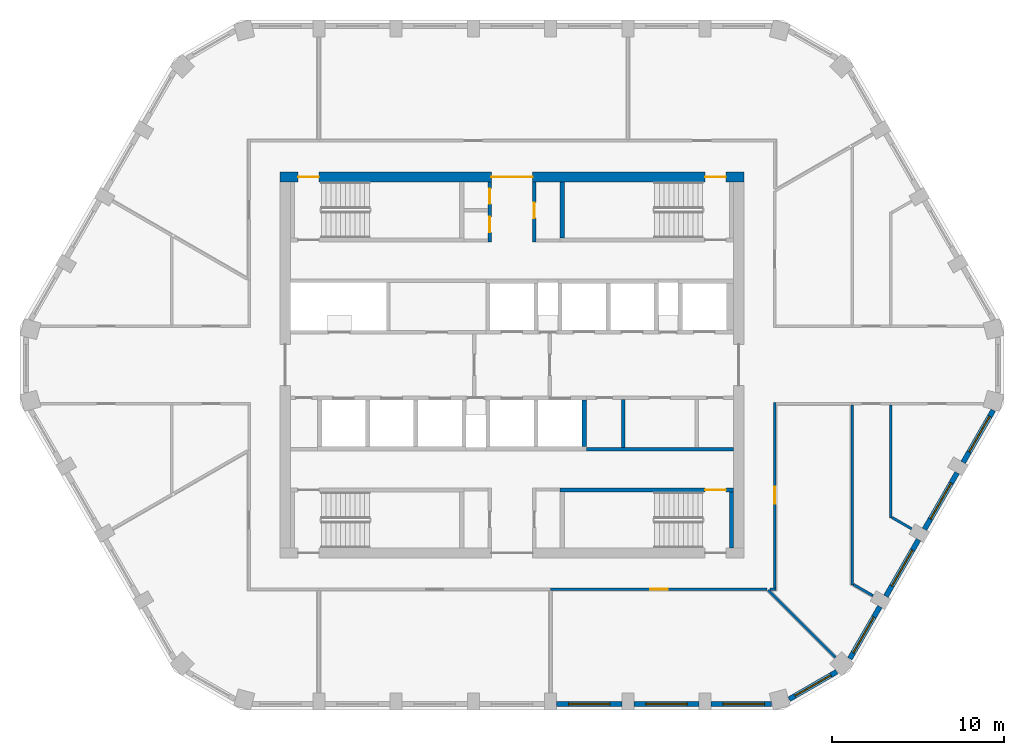
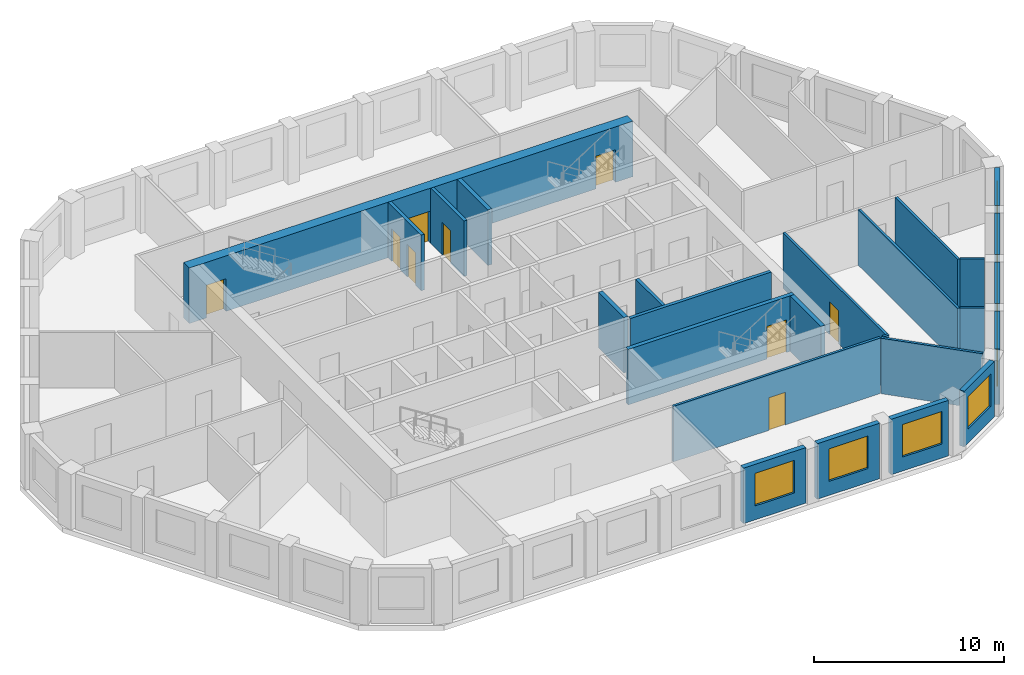
# One storey, part 4 of 11: 25 walls, 9 doors, 8 windows, 17 openings.
"""IFC4 building model written with IfcOpenShell, lengths in metres."""

from ifc_helpers import new_model, si_unit, direction, frame, frame_2d, origin, place, context, subcontext, project, spatial, polyline, rectangle, outline, extrude, material, layer, layer_set, type_object, element, fill, save


model = new_model("IFC4")

# Units and contexts
model_context = context("Model", 3, precision=1e-05, world=origin(), true_north=direction((0.0, 1.0)))
body_context = subcontext(model_context, "Body", "Model", "MODEL_VIEW")
ifc_project = project(units=[si_unit("LENGTHUNIT", "METRE"), si_unit("AREAUNIT", "SQUARE_METRE"), si_unit("VOLUMEUNIT", "CUBIC_METRE"), si_unit("PLANEANGLEUNIT", "RADIAN"), si_unit("MASSUNIT", "GRAM", prefix="KILO")], contexts=[model_context])

# Site, building, storey
site_placement = place(None, origin())
site = spatial("IfcSite", under=ifc_project, at=site_placement, CompositionType="ELEMENT")
building_placement = place(site_placement, origin())
building = spatial("IfcBuilding", under=site, at=building_placement, Name="Dhurran Vertical Campus", CompositionType="ELEMENT")
storey_placement = place(building_placement, frame((0.0, 0.0, 274.199951171875)))
storey = spatial("IfcBuildingStorey", under=building, at=storey_placement, Name="L68", CompositionType="ELEMENT", Elevation=274.199951171875)

# Wall, opening, window
ifc_material_1 = material(Name="Precast concrete C50/60", Category="concrete")
ifc_layer_1 = layer(ifc_material_1, 0.300048828125)
ifc_layer_set_1 = layer_set([ifc_layer_1], Name="Precast concrete C50/60")
wall_type_1 = type_object("IfcWallType", Name="Precast spandrel wall 300", PredefinedType="SOLIDWALL", material=ifc_layer_set_1)
wall_1_placement = place(storey_placement, frame((2.6005859375, -19.738525390625, 0.0), z_axis=(0.0, 0.0, 1.0), x_axis=(1.0, 0.0, 0.0)))
wall_1 = element("IfcWall", 1, at=wall_1_placement, inside=storey, type_object=wall_type_1, Name="EW1 L68.04", PredefinedType="SOLIDWALL", context=body_context, shape_type="SweptSolid", body=[
    extrude(rectangle(XDim=3.798828125, YDim=0.300048828125, at=frame_2d((1.8994140625, 0.0))), origin(), (0.0, 0.0, 1.0), 3.574951171875),
])
opening_1_placement = place(wall_1_placement, frame((0.699462890625, 0.0, 0.89990234375)))
opening_1 = element("IfcOpeningElement", 2, at=opening_1_placement, cuts=wall_1, Name="Opening WT1", PredefinedType="OPENING", context=body_context, shape_type="SweptSolid", body=[
    extrude(rectangle(XDim=2.39990234375, YDim=2.10009765625, at=frame_2d((1.199951171875, 1.050048828125))), frame((0.0, 0.159912109375, 0.0), z_axis=(0.0, -1.0, 0.0), x_axis=(1.0, 0.0, 0.0)), (0.0, 0.0, 1.0), 0.320068359375),
])
ifc_material_2 = material(Name="Aluminium frame with solar-control glass", Category="aluminium")
window_type = type_object("IfcWindowType", Name="Punched window 2400 x 2100", PartitioningType="SINGLE_PANEL", PredefinedType="WINDOW", material=ifc_material_2)
window_1_placement = place(opening_1_placement, origin())
window_1 = element("IfcWindow", 3, at=window_1_placement, inside=storey, type_object=window_type, Name="WT1 L68.04", OverallHeight=2.10009765625, OverallWidth=2.39990234375, PartitioningType="SINGLE_PANEL", PredefinedType="WINDOW", context=body_context, shape_type="SweptSolid", body=[
    extrude(rectangle(XDim=2.39990234375, YDim=2.10009765625, at=frame_2d((1.199951171875, 1.050048828125))), frame((0.0, 0.030029296875, 0.0), z_axis=(0.0, -1.0, 0.0), x_axis=(1.0, 0.0, 0.0)), (0.0, 0.0, 1.0), 0.06005859375),
])
fill(opening_1, window_1)

wall_2_placement = place(storey_placement, frame((7.1005859375, -19.738525390625, 0.0), z_axis=(0.0, 0.0, 1.0), x_axis=(1.0, 0.0, 0.0)))
wall_2 = element("IfcWall", 4, at=wall_2_placement, inside=storey, type_object=wall_type_1, Name="EW1 L68.05", PredefinedType="SOLIDWALL", context=body_context, shape_type="SweptSolid", body=[
    extrude(rectangle(XDim=3.798828125, YDim=0.300048828125, at=frame_2d((1.8994140625, 0.0))), origin(), (0.0, 0.0, 1.0), 3.574951171875),
])
opening_2_placement = place(wall_2_placement, frame((0.699462890625, 0.0, 0.89990234375)))
opening_2 = element("IfcOpeningElement", 5, at=opening_2_placement, cuts=wall_2, Name="Opening WT1", PredefinedType="OPENING", context=body_context, shape_type="SweptSolid", body=[
    extrude(rectangle(XDim=2.39990234375, YDim=2.10009765625, at=frame_2d((1.199951171875, 1.050048828125))), frame((0.0, 0.159912109375, 0.0), z_axis=(0.0, -1.0, 0.0), x_axis=(1.0, 0.0, 0.0)), (0.0, 0.0, 1.0), 0.320068359375),
])
window_2_placement = place(opening_2_placement, origin())
window_2 = element("IfcWindow", 6, at=window_2_placement, inside=storey, type_object=window_type, Name="WT1 L68.05", OverallHeight=2.10009765625, OverallWidth=2.39990234375, PartitioningType="SINGLE_PANEL", PredefinedType="WINDOW", context=body_context, shape_type="SweptSolid", body=[
    extrude(rectangle(XDim=2.39990234375, YDim=2.10009765625, at=frame_2d((1.199951171875, 1.050048828125))), frame((0.0, 0.030029296875, 0.0), z_axis=(0.0, -1.0, 0.0), x_axis=(1.0, 0.0, 0.0)), (0.0, 0.0, 1.0), 0.06005859375),
])
fill(opening_2, window_2)

wall_3_placement = place(storey_placement, frame((11.6005859375, -19.738525390625, 0.0), z_axis=(0.0, 0.0, 1.0), x_axis=(1.0, 0.0, 0.0)))
wall_3 = element("IfcWall", 7, at=wall_3_placement, inside=storey, type_object=wall_type_1, Name="EW1 L68.06", PredefinedType="SOLIDWALL", context=body_context, shape_type="SweptSolid", body=[
    extrude(rectangle(XDim=3.49755859375, YDim=0.300048828125, at=frame_2d((1.748779296875, 0.0))), origin(), (0.0, 0.0, 1.0), 3.574951171875),
])
opening_3_placement = place(wall_3_placement, frame((0.699462890625, 0.0, 0.89990234375)))
opening_3 = element("IfcOpeningElement", 8, at=opening_3_placement, cuts=wall_3, Name="Opening WT1", PredefinedType="OPENING", context=body_context, shape_type="SweptSolid", body=[
    extrude(rectangle(XDim=2.39990234375, YDim=2.10009765625, at=frame_2d((1.199951171875, 1.050048828125))), frame((0.0, 0.159912109375, 0.0), z_axis=(0.0, -1.0, 0.0), x_axis=(1.0, 0.0, 0.0)), (0.0, 0.0, 1.0), 0.320068359375),
])
window_3_placement = place(opening_3_placement, origin())
window_3 = element("IfcWindow", 9, at=window_3_placement, inside=storey, type_object=window_type, Name="WT1 L68.06", OverallHeight=2.10009765625, OverallWidth=2.39990234375, PartitioningType="SINGLE_PANEL", PredefinedType="WINDOW", context=body_context, shape_type="SweptSolid", body=[
    extrude(rectangle(XDim=2.39990234375, YDim=2.10009765625, at=frame_2d((1.199951171875, 1.050048828125))), frame((0.0, 0.030029296875, 0.0), z_axis=(0.0, -1.0, 0.0), x_axis=(1.0, 0.0, 0.0)), (0.0, 0.0, 1.0), 0.06005859375),
])
fill(opening_3, window_3)

wall_4_placement = place(storey_placement, frame((16.1396484375, -19.45947265625, 0.0), z_axis=(0.0, 0.0, 1.0), x_axis=(0.866025316205, 0.500000151692, 0.0)))
wall_4 = element("IfcWall", 10, at=wall_4_placement, inside=storey, type_object=wall_type_1, Name="EW1 L68.07", PredefinedType="SOLIDWALL", context=body_context, shape_type="SweptSolid", body=[
    extrude(rectangle(XDim=3.1962890625, YDim=0.300048828125, at=frame_2d((1.59814453125, 0.0))), origin(), (0.0, 0.0, 1.0), 3.574951171875),
])
opening_4_placement = place(wall_4_placement, frame((0.398193359375, 0.0, 0.89990234375)))
opening_4 = element("IfcOpeningElement", 11, at=opening_4_placement, cuts=wall_4, Name="Opening WT1", PredefinedType="OPENING", context=body_context, shape_type="SweptSolid", body=[
    extrude(rectangle(XDim=2.39990234375, YDim=2.10009765625, at=frame_2d((1.199951171875, 1.050048828125))), frame((0.0, 0.159912109375, 0.0), z_axis=(0.0, -1.0, 0.0), x_axis=(1.0, 0.0, 0.0)), (0.0, 0.0, 1.0), 0.320068359375),
])
window_4_placement = place(opening_4_placement, origin())
window_4 = element("IfcWindow", 12, at=window_4_placement, inside=storey, type_object=window_type, Name="WT1 L68.07", OverallHeight=2.10009765625, OverallWidth=2.39990234375, PartitioningType="SINGLE_PANEL", PredefinedType="WINDOW", context=body_context, shape_type="SweptSolid", body=[
    extrude(rectangle(XDim=2.39990234375, YDim=2.10009765625, at=frame_2d((1.199951171875, 1.050048828125))), frame((0.0, 0.030029296875, 0.0), z_axis=(0.0, -1.0, 0.0), x_axis=(1.0, 0.0, 0.0)), (0.0, 0.0, 1.0), 0.06005859375),
])
fill(opening_4, window_4)

wall_5_placement = place(storey_placement, frame((19.669921875, -17.09912109375, 0.0), z_axis=(0.0, 0.0, 1.0), x_axis=(0.499960102815, 0.866048437209, 0.0)))
wall_5 = element("IfcWall", 13, at=wall_5_placement, inside=storey, type_object=wall_type_1, Name="EW1 L68.08", PredefinedType="SOLIDWALL", context=body_context, shape_type="SweptSolid", body=[
    extrude(rectangle(XDim=3.497802734375, YDim=0.300048828125, at=frame_2d((1.7490234375, 0.0))), origin(), (0.0, 0.0, 1.0), 3.574951171875),
])
opening_5_placement = place(wall_5_placement, frame((0.398193359375, 0.0, 0.89990234375)))
opening_5 = element("IfcOpeningElement", 14, at=opening_5_placement, cuts=wall_5, Name="Opening WT1", PredefinedType="OPENING", context=body_context, shape_type="SweptSolid", body=[
    extrude(rectangle(XDim=2.39990234375, YDim=2.10009765625, at=frame_2d((1.199951171875, 1.050048828125))), frame((0.0, 0.159912109375, 0.0), z_axis=(0.0, -1.0, 0.0), x_axis=(1.0, 0.0, 0.0)), (0.0, 0.0, 1.0), 0.320068359375),
])
window_5_placement = place(opening_5_placement, origin())
window_5 = element("IfcWindow", 15, at=window_5_placement, inside=storey, type_object=window_type, Name="WT1 L68.08", OverallHeight=2.10009765625, OverallWidth=2.39990234375, PartitioningType="SINGLE_PANEL", PredefinedType="WINDOW", context=body_context, shape_type="SweptSolid", body=[
    extrude(rectangle(XDim=2.39990234375, YDim=2.10009765625, at=frame_2d((1.199951171875, 1.050048828125))), frame((0.0, 0.030029296875, 0.0), z_axis=(0.0, -1.0, 0.0), x_axis=(1.0, 0.0, 0.0)), (0.0, 0.0, 1.0), 0.06005859375),
])
fill(opening_5, window_5)

wall_6_placement = place(storey_placement, frame((21.769287109375, -13.462890625, 0.0), z_axis=(0.0, 0.0, 1.0), x_axis=(0.499982058975, 0.866035761792, 0.0)))
wall_6 = element("IfcWall", 16, at=wall_6_placement, inside=storey, type_object=wall_type_1, Name="EW1 L68.09", PredefinedType="SOLIDWALL", context=body_context, shape_type="SweptSolid", body=[
    extrude(rectangle(XDim=3.799072265625, YDim=0.300048828125, at=frame_2d((1.8994140625, 0.0))), origin(), (0.0, 0.0, 1.0), 3.574951171875),
])
opening_6_placement = place(wall_6_placement, frame((0.699462890625, 0.0, 0.89990234375)))
opening_6 = element("IfcOpeningElement", 17, at=opening_6_placement, cuts=wall_6, Name="Opening WT1", PredefinedType="OPENING", context=body_context, shape_type="SweptSolid", body=[
    extrude(rectangle(XDim=2.39990234375, YDim=2.10009765625, at=frame_2d((1.199951171875, 1.050048828125))), frame((0.0, 0.159912109375, 0.0), z_axis=(0.0, -1.0, 0.0), x_axis=(1.0, 0.0, 0.0)), (0.0, 0.0, 1.0), 0.320068359375),
])
window_6_placement = place(opening_6_placement, origin())
window_6 = element("IfcWindow", 18, at=window_6_placement, inside=storey, type_object=window_type, Name="WT1 L68.09", OverallHeight=2.10009765625, OverallWidth=2.39990234375, PartitioningType="SINGLE_PANEL", PredefinedType="WINDOW", context=body_context, shape_type="SweptSolid", body=[
    extrude(rectangle(XDim=2.39990234375, YDim=2.10009765625, at=frame_2d((1.199951171875, 1.050048828125))), frame((0.0, 0.030029296875, 0.0), z_axis=(0.0, -1.0, 0.0), x_axis=(1.0, 0.0, 0.0)), (0.0, 0.0, 1.0), 0.06005859375),
])
fill(opening_6, window_6)

wall_7_placement = place(storey_placement, frame((24.019287109375, -9.565673828125, 0.0), z_axis=(0.0, 0.0, 1.0), x_axis=(0.499982058975, 0.866035761792, 0.0)))
wall_7 = element("IfcWall", 19, at=wall_7_placement, inside=storey, type_object=wall_type_1, Name="EW1 L68.10", PredefinedType="SOLIDWALL", context=body_context, shape_type="SweptSolid", body=[
    extrude(rectangle(XDim=3.799072265625, YDim=0.300048828125, at=frame_2d((1.8994140625, 0.0))), origin(), (0.0, 0.0, 1.0), 3.574951171875),
])
opening_7_placement = place(wall_7_placement, frame((0.699462890625, 0.0, 0.89990234375)))
opening_7 = element("IfcOpeningElement", 20, at=opening_7_placement, cuts=wall_7, Name="Opening WT1", PredefinedType="OPENING", context=body_context, shape_type="SweptSolid", body=[
    extrude(rectangle(XDim=2.39990234375, YDim=2.10009765625, at=frame_2d((1.199951171875, 1.050048828125))), frame((0.0, 0.159912109375, 0.0), z_axis=(0.0, -1.0, 0.0), x_axis=(1.0, 0.0, 0.0)), (0.0, 0.0, 1.0), 0.320068359375),
])
window_7_placement = place(opening_7_placement, origin())
window_7 = element("IfcWindow", 21, at=window_7_placement, inside=storey, type_object=window_type, Name="WT1 L68.10", OverallHeight=2.10009765625, OverallWidth=2.39990234375, PartitioningType="SINGLE_PANEL", PredefinedType="WINDOW", context=body_context, shape_type="SweptSolid", body=[
    extrude(rectangle(XDim=2.39990234375, YDim=2.10009765625, at=frame_2d((1.199951171875, 1.050048828125))), frame((0.0, 0.030029296875, 0.0), z_axis=(0.0, -1.0, 0.0), x_axis=(1.0, 0.0, 0.0)), (0.0, 0.0, 1.0), 0.06005859375),
])
fill(opening_7, window_7)

wall_8_placement = place(storey_placement, frame((26.269287109375, -5.668701171875, 0.0), z_axis=(0.0, 0.0, 1.0), x_axis=(0.499990325971, 0.866030989016, 0.0)))
wall_8 = element("IfcWall", 22, at=wall_8_placement, inside=storey, type_object=wall_type_1, Name="EW1 L68.11", PredefinedType="SOLIDWALL", context=body_context, shape_type="SweptSolid", body=[
    extrude(rectangle(XDim=3.49755859375, YDim=0.300048828125, at=frame_2d((1.748779296875, 0.0))), origin(), (0.0, 0.0, 1.0), 3.574951171875),
])
opening_8_placement = place(wall_8_placement, frame((0.699462890625, 0.0, 0.89990234375)))
opening_8 = element("IfcOpeningElement", 23, at=opening_8_placement, cuts=wall_8, Name="Opening WT1", PredefinedType="OPENING", context=body_context, shape_type="SweptSolid", body=[
    extrude(rectangle(XDim=2.39990234375, YDim=2.10009765625, at=frame_2d((1.199951171875, 1.050048828125))), frame((0.0, 0.159912109375, 0.0), z_axis=(0.0, -1.0, 0.0), x_axis=(1.0, 0.0, 0.0)), (0.0, 0.0, 1.0), 0.320068359375),
])
window_8_placement = place(opening_8_placement, origin())
window_8 = element("IfcWindow", 24, at=window_8_placement, inside=storey, type_object=window_type, Name="WT1 L68.11", OverallHeight=2.10009765625, OverallWidth=2.39990234375, PartitioningType="SINGLE_PANEL", PredefinedType="WINDOW", context=body_context, shape_type="SweptSolid", body=[
    extrude(rectangle(XDim=2.39990234375, YDim=2.10009765625, at=frame_2d((1.199951171875, 1.050048828125))), frame((0.0, 0.030029296875, 0.0), z_axis=(0.0, -1.0, 0.0), x_axis=(1.0, 0.0, 0.0)), (0.0, 0.0, 1.0), 0.06005859375),
])
fill(opening_8, window_8)

# Wall, openings, doors
ifc_material_3 = material(Name="Concrete C50/60", Category="concrete")
ifc_layer_2 = layer(ifc_material_3, 0.60009765625)
ifc_layer_set_2 = layer_set([ifc_layer_2], Name="Concrete C50/60")
wall_type_2 = type_object("IfcWallType", Name="co-CORE-WALL-C2-600", PredefinedType="SHEAR", material=ifc_layer_set_2)
wall_9_placement = place(storey_placement, frame((-13.5, 10.949951171875, 0.0), z_axis=(0.0, 0.0, 1.0), x_axis=(1.0, 0.0, 0.0)))
wall_9 = element("IfcWall", 25, at=wall_9_placement, inside=storey, type_object=wall_type_2, Name="Core wall N L68", PredefinedType="SHEAR", context=body_context, shape_type="SweptSolid", body=[
    extrude(rectangle(XDim=27.0, YDim=0.60009765625, at=frame_2d((13.5, 0.0))), origin(), (0.0, 0.0, 1.0), 3.574951171875),
])
opening_9_placement = place(wall_9_placement, frame((12.300048828125, 0.0, 0.0)))
opening_9 = element("IfcOpeningElement", 26, at=opening_9_placement, cuts=wall_9, Name="Opening CV1", PredefinedType="OPENING", context=body_context, shape_type="SweptSolid", body=[
    extrude(rectangle(XDim=2.39990234375, YDim=2.10009765625, at=frame_2d((1.199951171875, 1.050048828125))), frame((0.0, 0.31005859375, 0.0), z_axis=(0.0, -1.0, 0.0), x_axis=(1.0, 0.0, 0.0)), (0.0, 0.0, 1.0), 0.6201171875),
])
opening_10_placement = place(wall_9_placement, frame((1.050048828125, 0.0, 0.0)))
opening_10 = element("IfcOpeningElement", 27, at=opening_10_placement, cuts=wall_9, Name="Opening XD1", PredefinedType="OPENING", context=body_context, shape_type="SweptSolid", body=[
    extrude(rectangle(XDim=1.199951171875, YDim=2.10009765625, at=frame_2d((0.60009765625, 1.050048828125))), frame((0.0, 0.31005859375, 0.0), z_axis=(0.0, -1.0, 0.0), x_axis=(1.0, 0.0, 0.0)), (0.0, 0.0, 1.0), 0.6201171875),
])
opening_11_placement = place(wall_9_placement, frame((24.75, 0.0, 0.0)))
opening_11 = element("IfcOpeningElement", 28, at=opening_11_placement, cuts=wall_9, Name="Opening XD2", PredefinedType="OPENING", context=body_context, shape_type="SweptSolid", body=[
    extrude(rectangle(XDim=1.199951171875, YDim=2.10009765625, at=frame_2d((0.60009765625, 1.050048828125))), frame((0.0, 0.31005859375, 0.0), z_axis=(0.0, -1.0, 0.0), x_axis=(1.0, 0.0, 0.0)), (0.0, 0.0, 1.0), 0.6201171875),
])
ifc_material_4 = material(Name="Fire-rated glazed door set")
door_type_1 = type_object("IfcDoorType", Name="co-D-LOBBY 2400x2100", OperationType="DOUBLE_DOOR_DOUBLE_SWING", PredefinedType="DOOR", material=ifc_material_4)
door_1_placement = place(opening_9_placement, origin())
door_1 = element("IfcDoor", 29, at=door_1_placement, inside=storey, type_object=door_type_1, Name="Core vestibule door N L68", OperationType="DOUBLE_DOOR_DOUBLE_SWING", OverallHeight=2.10009765625, OverallWidth=2.39990234375, PredefinedType="DOOR", context=body_context, shape_type="SweptSolid", body=[
    extrude(rectangle(XDim=2.39990234375, YDim=2.10009765625, at=frame_2d((1.199951171875, 1.050048828125))), frame((0.0, 0.02490234375, 0.0), z_axis=(0.0, -1.0, 0.0), x_axis=(1.0, 0.0, 0.0)), (0.0, 0.0, 1.0), 0.050048828125),
])
fill(opening_9, door_1)
ifc_material_5 = material(Name="Fire-rated steel door set", Category="steel")
door_type_2 = type_object("IfcDoorType", Name="co-D-STAIR-EXIT 1200x2100", OperationType="SINGLE_SWING_RIGHT", PredefinedType="DOOR", material=ifc_material_5)
door_2_placement = place(opening_10_placement, origin())
door_2 = element("IfcDoor", 30, at=door_2_placement, inside=storey, type_object=door_type_2, Name="Stair ST1 exit door L68", OperationType="SINGLE_SWING_RIGHT", OverallHeight=2.10009765625, OverallWidth=1.199951171875, PredefinedType="DOOR", context=body_context, shape_type="SweptSolid", body=[
    extrude(rectangle(XDim=1.199951171875, YDim=2.10009765625, at=frame_2d((0.60009765625, 1.050048828125))), frame((0.0, 0.02490234375, 0.0), z_axis=(0.0, -1.0, 0.0), x_axis=(1.0, 0.0, 0.0)), (0.0, 0.0, 1.0), 0.050048828125),
])
fill(opening_10, door_2)
door_3_placement = place(opening_11_placement, origin())
door_3 = element("IfcDoor", 31, at=door_3_placement, inside=storey, type_object=door_type_2, Name="Stair ST2 exit door L68", OperationType="SINGLE_SWING_RIGHT", OverallHeight=2.10009765625, OverallWidth=1.199951171875, PredefinedType="DOOR", context=body_context, shape_type="SweptSolid", body=[
    extrude(rectangle(XDim=1.199951171875, YDim=2.10009765625, at=frame_2d((0.60009765625, 1.050048828125))), frame((0.0, 0.02490234375, 0.0), z_axis=(0.0, -1.0, 0.0), x_axis=(1.0, 0.0, 0.0)), (0.0, 0.0, 1.0), 0.050048828125),
])
fill(opening_11, door_3)

ifc_material_6 = material(Name="Fire-rated masonry blockwork", Category="masonry")
ifc_layer_3 = layer(ifc_material_6, 0.199951171875)
ifc_layer_set_3 = layer_set([ifc_layer_3], Name="Fire-rated masonry blockwork")
wall_type_3 = type_object("IfcWallType", Name="co-FIRE-PARTITION-200", PredefinedType="PARTITIONING", material=ifc_layer_set_3)
wall_10_placement = place(storey_placement, frame((-1.300048828125, 7.14990234375, 0.0), z_axis=(0.0, 0.0, 1.0), x_axis=(0.0, 1.0, 0.0)))
wall_10 = element("IfcWall", 32, at=wall_10_placement, inside=storey, type_object=wall_type_3, Name="Core partition vest-NW L68", PredefinedType="PARTITIONING", context=body_context, shape_type="SweptSolid", body=[
    extrude(rectangle(XDim=3.5, YDim=0.199951171875, at=frame_2d((1.75, 0.0))), origin(), (0.0, 0.0, 1.0), 3.574951171875),
])
opening_12_placement = place(wall_10_placement, frame((0.574951171875, 0.0, 0.0)))
opening_12 = element("IfcOpeningElement", 33, at=opening_12_placement, cuts=wall_10, Name="Opening T20-C3", PredefinedType="OPENING", context=body_context, shape_type="SweptSolid", body=[
    extrude(rectangle(XDim=0.89990234375, YDim=2.10009765625, at=frame_2d((0.449951171875, 1.050048828125))), frame((0.0, 0.10986328125, 0.0), z_axis=(0.0, -1.0, 0.0), x_axis=(1.0, 0.0, 0.0)), (0.0, 0.0, 1.0), 0.219970703125),
])
opening_13_placement = place(wall_10_placement, frame((2.22509765625, 0.0, 0.0)))
opening_13 = element("IfcOpeningElement", 34, at=opening_13_placement, cuts=wall_10, Name="Opening T20-C4", PredefinedType="OPENING", context=body_context, shape_type="SweptSolid", body=[
    extrude(rectangle(XDim=0.89990234375, YDim=2.10009765625, at=frame_2d((0.449951171875, 1.050048828125))), frame((0.0, 0.10986328125, 0.0), z_axis=(0.0, -1.0, 0.0), x_axis=(1.0, 0.0, 0.0)), (0.0, 0.0, 1.0), 0.219970703125),
])
ifc_material_7 = material(Name="Fire-rated timber door set", Category="wood")
door_type_3 = type_object("IfcDoorType", Name="co-D-ROOM 900x2100", OperationType="SINGLE_SWING_LEFT", PredefinedType="DOOR", material=ifc_material_7)
door_4_placement = place(opening_12_placement, origin())
door_4 = element("IfcDoor", 35, at=door_4_placement, inside=storey, type_object=door_type_3, Name="Waste room door L68", OperationType="SINGLE_SWING_LEFT", OverallHeight=2.10009765625, OverallWidth=0.89990234375, PredefinedType="DOOR", context=body_context, shape_type="SweptSolid", body=[
    extrude(rectangle(XDim=0.89990234375, YDim=2.10009765625, at=frame_2d((0.449951171875, 1.050048828125))), frame((0.0, 0.02490234375, 0.0), z_axis=(0.0, -1.0, 0.0), x_axis=(1.0, 0.0, 0.0)), (0.0, 0.0, 1.0), 0.050048828125),
])
fill(opening_12, door_4)
door_5_placement = place(opening_13_placement, origin())
door_5 = element("IfcDoor", 36, at=door_5_placement, inside=storey, type_object=door_type_3, Name="Fire equipment store door L68", OperationType="SINGLE_SWING_LEFT", OverallHeight=2.10009765625, OverallWidth=0.89990234375, PredefinedType="DOOR", context=body_context, shape_type="SweptSolid", body=[
    extrude(rectangle(XDim=0.89990234375, YDim=2.10009765625, at=frame_2d((0.449951171875, 1.050048828125))), frame((0.0, 0.02490234375, 0.0), z_axis=(0.0, -1.0, 0.0), x_axis=(1.0, 0.0, 0.0)), (0.0, 0.0, 1.0), 0.050048828125),
])
fill(opening_13, door_5)

# Wall, opening, door
wall_11_placement = place(storey_placement, frame((1.300048828125, 7.14990234375, 0.0), z_axis=(0.0, 0.0, 1.0), x_axis=(0.0, 1.0, 0.0)))
wall_11 = element("IfcWall", 37, at=wall_11_placement, inside=storey, type_object=wall_type_3, Name="Core partition vest-NE L68", PredefinedType="PARTITIONING", context=body_context, shape_type="SweptSolid", body=[
    extrude(rectangle(XDim=3.5, YDim=0.199951171875, at=frame_2d((1.75, 0.0))), origin(), (0.0, 0.0, 1.0), 3.574951171875),
])
opening_14_placement = place(wall_11_placement, frame((1.39990234375, 0.0, 0.0)))
opening_14 = element("IfcOpeningElement", 38, at=opening_14_placement, cuts=wall_11, Name="Opening T20-C5", PredefinedType="OPENING", context=body_context, shape_type="SweptSolid", body=[
    extrude(rectangle(XDim=0.89990234375, YDim=2.10009765625, at=frame_2d((0.449951171875, 1.050048828125))), frame((0.0, 0.10986328125, 0.0), z_axis=(0.0, -1.0, 0.0), x_axis=(1.0, 0.0, 0.0)), (0.0, 0.0, 1.0), 0.219970703125),
])
door_6_placement = place(opening_14_placement, origin())
door_6 = element("IfcDoor", 39, at=door_6_placement, inside=storey, type_object=door_type_3, Name="Print room door L68", OperationType="SINGLE_SWING_LEFT", OverallHeight=2.10009765625, OverallWidth=0.89990234375, PredefinedType="DOOR", context=body_context, shape_type="SweptSolid", body=[
    extrude(rectangle(XDim=0.89990234375, YDim=2.10009765625, at=frame_2d((0.449951171875, 1.050048828125))), frame((0.0, 0.02490234375, 0.0), z_axis=(0.0, -1.0, 0.0), x_axis=(1.0, 0.0, 0.0)), (0.0, 0.0, 1.0), 0.050048828125),
])
fill(opening_14, door_6)

# Walls
wall_12_placement = place(storey_placement, frame((6.46875, -4.800048828125, 0.0), z_axis=(0.0, 0.0, 1.0), x_axis=(0.0, 1.0, 0.0)))
element("IfcWall", 40, at=wall_12_placement, inside=storey, type_object=wall_type_3, Name="Core partition fr-S2-cut0 L68", PredefinedType="PARTITIONING", context=body_context, shape_type="SweptSolid", body=[
    extrude(rectangle(XDim=2.800048828125, YDim=0.199951171875, at=frame_2d((1.39990234375, 0.0))), origin(), (0.0, 0.0, 1.0), 3.574951171875),
])
wall_13_placement = place(storey_placement, frame((4.324951171875, -4.89990234375, 0.0), z_axis=(0.0, 0.0, 1.0), x_axis=(1.0, 0.0, 0.0)))
element("IfcWall", 41, at=wall_13_placement, inside=storey, type_object=wall_type_3, Name="Core partition fr-S2-b L68", PredefinedType="PARTITIONING", context=body_context, shape_type="SweptSolid", body=[
    extrude(rectangle(XDim=8.574951171875, YDim=0.199951171875, at=frame_2d((4.28759765625, 0.0))), origin(), (0.0, 0.0, 1.0), 3.574951171875),
])
ifc_material_8 = material(Name="Concrete C50/60", Category="concrete")
ifc_layer_4 = layer(ifc_material_8, 0.25)
ifc_layer_set_4 = layer_set([ifc_layer_4], Name="Concrete C50/60")
wall_type_4 = type_object("IfcWallType", Name="co-SHAFT-MASS-250", PredefinedType="SHEAR", material=ifc_layer_set_4)
wall_14_placement = place(storey_placement, origin())
element("IfcWall", 42, at=wall_14_placement, inside=storey, type_object=wall_type_4, Name="Lift shaft wall S L68 9", PredefinedType="SHEAR", context=body_context, shape_type="SweptSolid", body=[
    extrude(outline(polyline([(4.074951171875, -4.75), (4.324951171875, -4.75), (4.324951171875, -2.050048828125), (4.074951171875, -2.050048828125), (4.074951171875, -4.75)])), origin(), (0.0, 0.0, 1.0), 3.574951171875),
])
ifc_material_9 = material(Name="Concrete C40/50", Category="concrete")
ifc_layer_5 = layer(ifc_material_9, 0.25)
ifc_layer_set_5 = layer_set([ifc_layer_5], Name="Concrete C40/50")
wall_type_5 = type_object("IfcWallType", Name="co-STAIR-WALL-250", PredefinedType="SHEAR", material=ifc_layer_set_5)
wall_15_placement = place(storey_placement, frame((2.925048828125, 7.39990234375, 0.0), z_axis=(0.0, 0.0, 1.0), x_axis=(0.0, 1.0, 0.0)))
element("IfcWall", 43, at=wall_15_placement, inside=storey, type_object=wall_type_5, Name="Stair ST2 enclosure wall L68", PredefinedType="SHEAR", context=body_context, shape_type="SweptSolid", body=[
    extrude(rectangle(XDim=3.25, YDim=0.25, at=frame_2d((1.625, 0.0))), origin(), (0.0, 0.0, 1.0), 3.574951171875),
])

# Wall, opening, door
wall_16_placement = place(storey_placement, frame((2.800048828125, -7.27490234375, 0.0), z_axis=(0.0, 0.0, 1.0), x_axis=(1.0, 0.0, 0.0)))
wall_16 = element("IfcWall", 44, at=wall_16_placement, inside=storey, type_object=wall_type_5, Name="Stair ST4 enclosure wall L68", PredefinedType="SHEAR", context=body_context, shape_type="SweptSolid", body=[
    extrude(rectangle(XDim=10.099853515625, YDim=0.25, at=frame_2d((5.0498046875, 0.0))), origin(), (0.0, 0.0, 1.0), 3.574951171875),
])
opening_15_placement = place(wall_16_placement, frame((8.449951171875, 0.0, 0.0)))
opening_15 = element("IfcOpeningElement", 45, at=opening_15_placement, cuts=wall_16, Name="Opening SD4", PredefinedType="OPENING", context=body_context, shape_type="SweptSolid", body=[
    extrude(rectangle(XDim=1.199951171875, YDim=2.10009765625, at=frame_2d((0.60009765625, 1.050048828125))), frame((0.0, 0.135009765625, 0.0), z_axis=(0.0, -1.0, 0.0), x_axis=(1.0, 0.0, 0.0)), (0.0, 0.0, 1.0), 0.27001953125),
])
ifc_material_10 = material(Name="Fire-rated steel door set", Category="steel")
door_type_4 = type_object("IfcDoorType", Name="co-D-STAIR 1200x2100", OperationType="SINGLE_SWING_LEFT", PredefinedType="DOOR", material=ifc_material_10)
door_7_placement = place(opening_15_placement, origin())
door_7 = element("IfcDoor", 46, at=door_7_placement, inside=storey, type_object=door_type_4, Name="Stair ST4 door L68", OperationType="SINGLE_SWING_LEFT", OverallHeight=2.10009765625, OverallWidth=1.199951171875, PredefinedType="DOOR", context=body_context, shape_type="SweptSolid", body=[
    extrude(rectangle(XDim=1.199951171875, YDim=2.10009765625, at=frame_2d((0.60009765625, 1.050048828125))), frame((0.0, 0.02490234375, 0.0), z_axis=(0.0, -1.0, 0.0), x_axis=(1.0, 0.0, 0.0)), (0.0, 0.0, 1.0), 0.050048828125),
])
fill(opening_15, door_7)

# Wall
wall_17_placement = place(storey_placement, frame((12.77490234375, -10.64990234375, 0.0), z_axis=(0.0, 0.0, 1.0), x_axis=(0.0, 1.0, 0.0)))
element("IfcWall", 47, at=wall_17_placement, inside=storey, type_object=wall_type_5, Name="Stair ST4 enclosure wall L68", PredefinedType="SHEAR", context=body_context, shape_type="SweptSolid", body=[
    extrude(rectangle(XDim=3.25, YDim=0.25, at=frame_2d((1.625, 0.0))), origin(), (0.0, 0.0, 1.0), 3.574951171875),
])

# Wall, opening, door
ifc_material_11 = material(Name="Gypsum board corridor wall on steel studs", Category="steel")
ifc_layer_6 = layer(ifc_material_11, 0.14990234375)
ifc_layer_set_6 = layer_set([ifc_layer_6], Name="Gypsum board corridor wall on steel studs")
wall_type_6 = type_object("IfcWallType", Name="fl-CW-150 corridor wall", PredefinedType="PARTITIONING", material=ifc_layer_set_6)
wall_18_placement = place(storey_placement, frame((2.25, -13.050048828125, 0.0), z_axis=(0.0, 0.0, 1.0), x_axis=(1.0, 0.0, 0.0)))
wall_18 = element("IfcWall", 48, at=wall_18_placement, inside=storey, type_object=wall_type_6, Name="Partition 68-22", PredefinedType="PARTITIONING", context=body_context, shape_type="SweptSolid", body=[
    extrude(rectangle(XDim=12.60888671875, YDim=0.14990234375, at=frame_2d((6.304443359375, 0.0))), origin(), (0.0, 0.0, 1.0), 3.574951171875),
])
opening_16_placement = place(wall_18_placement, frame((5.804443359375, 0.0, 0.0)))
opening_16 = element("IfcOpeningElement", 49, at=opening_16_placement, cuts=wall_18, Name="Opening T20.09", PredefinedType="OPENING", context=body_context, shape_type="SweptSolid", body=[
    extrude(rectangle(XDim=1.0, YDim=2.10009765625, at=frame_2d((0.5, 1.050048828125))), frame((0.0, 0.0849609375, 0.0), z_axis=(0.0, -1.0, 0.0), x_axis=(1.0, 0.0, 0.0)), (0.0, 0.0, 1.0), 0.169921875),
])
ifc_material_12 = material(Name="Solid-core timber door set, fire-rated", Category="wood")
door_type_5 = type_object("IfcDoorType", Name="fl-D-1000x2100", OperationType="SINGLE_SWING_LEFT", PredefinedType="DOOR", material=ifc_material_12)
door_8_placement = place(opening_16_placement, origin())
door_8 = element("IfcDoor", 50, at=door_8_placement, inside=storey, type_object=door_type_5, Name="Door 68.09", OperationType="SINGLE_SWING_LEFT", OverallHeight=2.10009765625, OverallWidth=1.0, PredefinedType="DOOR", context=body_context, shape_type="SweptSolid", body=[
    extrude(rectangle(XDim=1.0, YDim=2.10009765625, at=frame_2d((0.5, 1.050048828125))), frame((0.0, 0.02490234375, 0.0), z_axis=(0.0, -1.0, 0.0), x_axis=(1.0, 0.0, 0.0)), (0.0, 0.0, 1.0), 0.050048828125),
])
fill(opening_16, door_8)

# Wall
wall_19_placement = place(storey_placement, frame((15.033935546875, -13.050048828125, 0.0), z_axis=(0.0, 0.0, 1.0), x_axis=(1.0, 0.0, 0.0)))
element("IfcWall", 51, at=wall_19_placement, inside=storey, type_object=wall_type_6, Name="Partition 68-25", PredefinedType="PARTITIONING", context=body_context, shape_type="SweptSolid", body=[
    extrude(rectangle(XDim=0.341064453125, YDim=0.14990234375, at=frame_2d((0.17041015625, 0.0))), origin(), (0.0, 0.0, 1.0), 3.574951171875),
])

# Wall, opening, door
wall_20_placement = place(storey_placement, frame((15.300048828125, -12.97509765625, 0.0), z_axis=(0.0, 0.0, 1.0), x_axis=(0.0, 1.0, 0.0)))
wall_20 = element("IfcWall", 52, at=wall_20_placement, inside=storey, type_object=wall_type_6, Name="Partition 68-27", PredefinedType="PARTITIONING", context=body_context, shape_type="SweptSolid", body=[
    extrude(rectangle(XDim=10.800048828125, YDim=0.14990234375, at=frame_2d((5.39990234375, 0.0))), origin(), (0.0, 0.0, 1.0), 3.574951171875),
])
opening_17_placement = place(wall_20_placement, frame((4.89990234375, 0.0, 0.0)))
opening_17 = element("IfcOpeningElement", 53, at=opening_17_placement, cuts=wall_20, Name="Opening T20.12", PredefinedType="OPENING", context=body_context, shape_type="SweptSolid", body=[
    extrude(rectangle(XDim=1.0, YDim=2.10009765625, at=frame_2d((0.5, 1.050048828125))), frame((0.0, 0.0849609375, 0.0), z_axis=(0.0, -1.0, 0.0), x_axis=(1.0, 0.0, 0.0)), (0.0, 0.0, 1.0), 0.169921875),
])
door_9_placement = place(opening_17_placement, origin())
door_9 = element("IfcDoor", 54, at=door_9_placement, inside=storey, type_object=door_type_5, Name="Door 68.12", OperationType="SINGLE_SWING_LEFT", OverallHeight=2.10009765625, OverallWidth=1.0, PredefinedType="DOOR", context=body_context, shape_type="SweptSolid", body=[
    extrude(rectangle(XDim=1.0, YDim=2.10009765625, at=frame_2d((0.5, 1.050048828125))), frame((0.0, 0.02490234375, 0.0), z_axis=(0.0, -1.0, 0.0), x_axis=(1.0, 0.0, 0.0)), (0.0, 0.0, 1.0), 0.050048828125),
])
fill(opening_17, door_9)

# Walls
ifc_material_13 = material(Name="Gypsum board partition on steel studs", Category="steel")
ifc_layer_7 = layer(ifc_material_13, 0.14990234375)
ifc_layer_set_7 = layer_set([ifc_layer_7], Name="Gypsum board partition on steel studs")
wall_type_7 = type_object("IfcWallType", Name="fl-PW-150 fixed partition", PredefinedType="PARTITIONING", material=ifc_layer_set_7)
wall_21_placement = place(storey_placement, frame((14.912109375, -13.10302734375, 0.0), z_axis=(0.0, 0.0, 1.0), x_axis=(0.707018679171, -0.707194872226, 0.0)))
element("IfcWall", 55, at=wall_21_placement, inside=storey, type_object=wall_type_7, Name="Partition 68-26", PredefinedType="PARTITIONING", context=body_context, shape_type="SweptSolid", body=[
    extrude(rectangle(XDim=5.54248046875, YDim=0.14990234375, at=frame_2d((2.771240234375, 0.0))), origin(), (0.0, 0.0, 1.0), 3.574951171875),
])
wall_22_placement = place(storey_placement, frame((19.800048828125, -2.324951171875, 0.0), z_axis=(0.0, 0.0, 1.0), x_axis=(0.0, -1.0, 0.0)))
element("IfcWall", 56, at=wall_22_placement, inside=storey, type_object=wall_type_7, Name="Partition 68-33", PredefinedType="PARTITIONING", context=body_context, shape_type="SweptSolid", body=[
    extrude(rectangle(XDim=10.48095703125, YDim=0.14990234375, at=frame_2d((5.240478515625, 0.0))), origin(), (0.0, 0.0, 1.0), 3.574951171875),
])
wall_23_placement = place(storey_placement, frame((19.88671875, -12.781005859375, 0.0), z_axis=(0.0, 0.0, 1.0), x_axis=(0.866110606688, -0.499852395195, 0.0)))
element("IfcWall", 57, at=wall_23_placement, inside=storey, type_object=wall_type_7, Name="Partition 68-34", PredefinedType="PARTITIONING", context=body_context, shape_type="SweptSolid", body=[
    extrude(rectangle(XDim=1.30126953125, YDim=0.14990234375, at=frame_2d((0.650634765625, 0.0))), origin(), (0.0, 0.0, 1.0), 3.574951171875),
])
wall_24_placement = place(storey_placement, frame((22.050048828125, -2.324951171875, 0.0), z_axis=(0.0, 0.0, 1.0), x_axis=(0.0, -1.0, 0.0)))
element("IfcWall", 58, at=wall_24_placement, inside=storey, type_object=wall_type_7, Name="Partition 68-39", PredefinedType="PARTITIONING", context=body_context, shape_type="SweptSolid", body=[
    extrude(rectangle(XDim=6.5830078125, YDim=0.14990234375, at=frame_2d((3.29150390625, 0.0))), origin(), (0.0, 0.0, 1.0), 3.574951171875),
])
wall_25_placement = place(storey_placement, frame((22.136474609375, -8.883056640625, 0.0), z_axis=(0.0, 0.0, 1.0), x_axis=(0.865960725898, -0.500112008656, 0.0)))
element("IfcWall", 59, at=wall_25_placement, inside=storey, type_object=wall_type_7, Name="Partition 68-40", PredefinedType="PARTITIONING", context=body_context, shape_type="SweptSolid", body=[
    extrude(rectangle(XDim=1.302001953125, YDim=0.14990234375, at=frame_2d((0.65087890625, 0.0))), origin(), (0.0, 0.0, 1.0), 3.574951171875),
])

save(model, "model.ifc")
